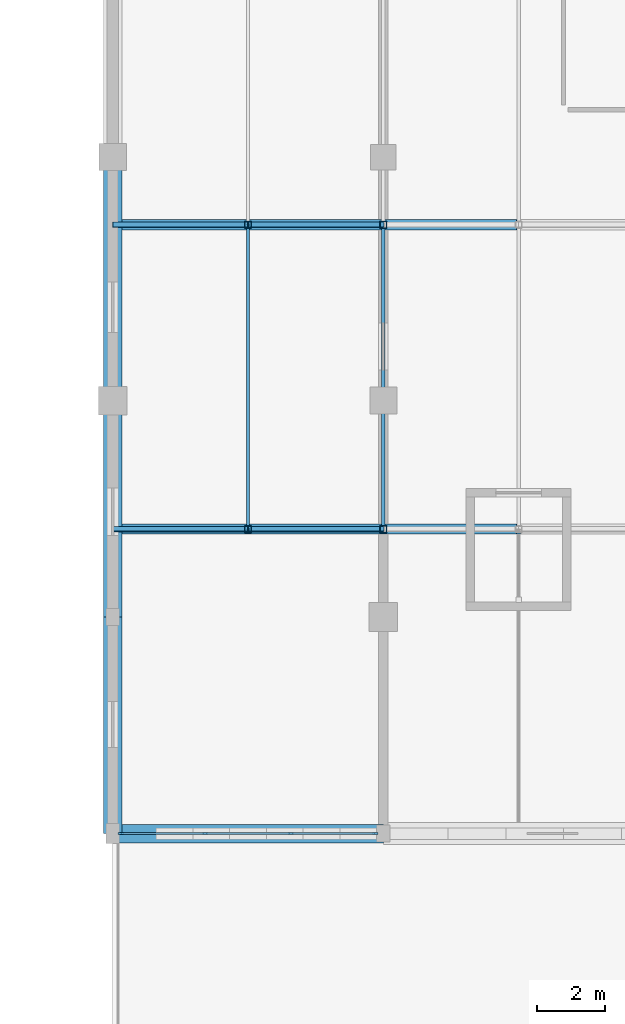
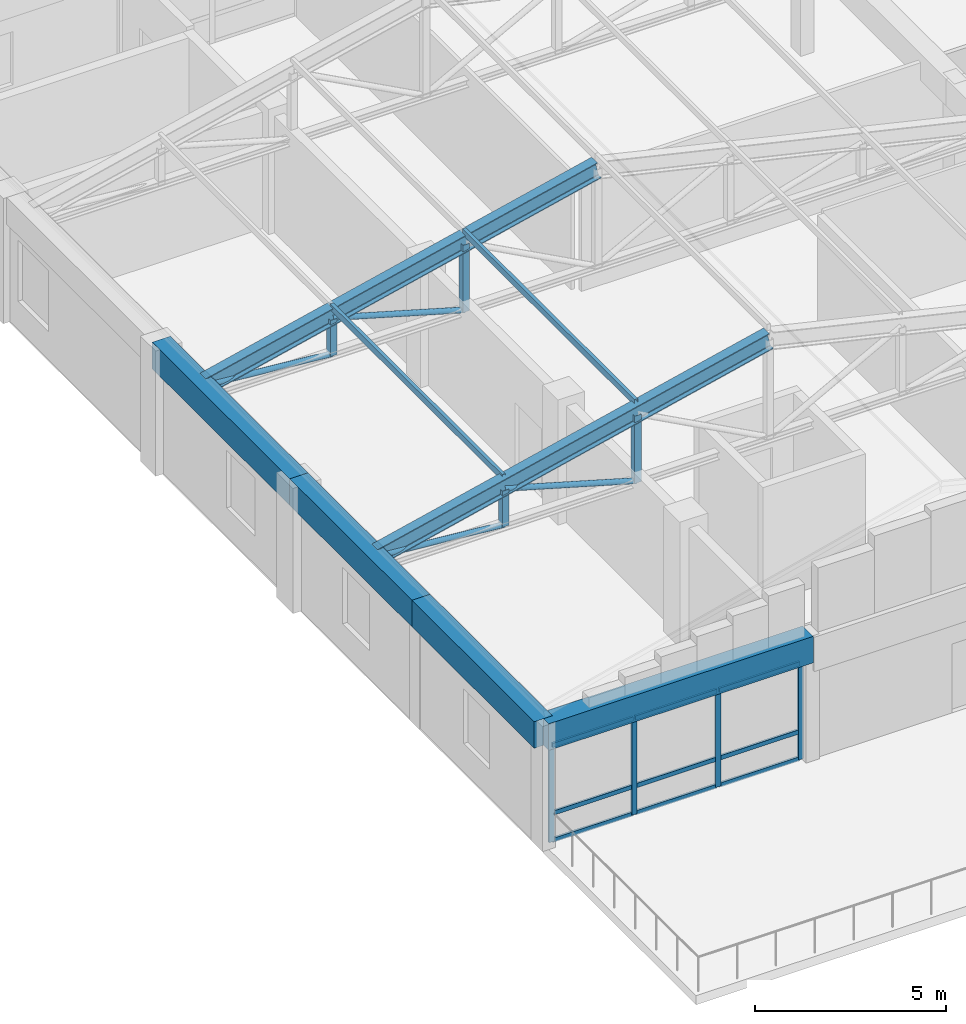
# One storey, part 2 of 27: 25 members, 4 beams, 1 element without a shape of its own.
"""IFC4 building model written with IfcOpenShell, lengths in metres."""

from ifc_helpers import new_model, si_unit, direction, frame, origin, origin_2d, place, context, subcontext, project, spatial, rectangle, hollow_rectangle, hollow_circle, i_section, extrude, material, material_profile, profile_set, type_object, element, aggregate, save


model = new_model("IFC4")

# Units and contexts
model_context = context("Model", 3, precision=1e-05, world=origin(), true_north=direction((0.0, 1.0)))
body_context = subcontext(model_context, "Body", "Model", "MODEL_VIEW")
ifc_project = project(units=[si_unit("LENGTHUNIT", "METRE"), si_unit("AREAUNIT", "SQUARE_METRE"), si_unit("VOLUMEUNIT", "CUBIC_METRE"), si_unit("PLANEANGLEUNIT", "RADIAN"), si_unit("MASSUNIT", "GRAM", prefix="KILO")], contexts=[model_context])

# Site, building, storey
site_placement = place(None, origin())
site = spatial("IfcSite", under=ifc_project, at=site_placement, CompositionType="ELEMENT")
building_placement = place(site_placement, origin())
building = spatial("IfcBuilding", under=site, at=building_placement, Name="Vellmiral Cinema and Media Centre", CompositionType="ELEMENT")
storey_placement = place(building_placement, frame((0.0, 0.0, 19.800048828125)))
storey = spatial("IfcBuildingStorey", under=building, at=storey_placement, Name="L04", CompositionType="ELEMENT", Elevation=19.800048828125)

# Curtain wall, members
ifc_material_1 = material(Name="Thermally Broken Aluminium and Triple Glazing", Category="aluminium")
curtain_wall_type = type_object("IfcCurtainWallType", Name="CW-TOWER-LOW-S", PredefinedType="USERDEFINED", material=ifc_material_1)
curtain_wall_placement = place(storey_placement, origin())
curtain_wall = element("IfcCurtainWall", 1, at=curtain_wall_placement, inside=storey, type_object=curtain_wall_type, Name="Curtain Wall L04-B001", ObjectType="UNITISED CURTAIN WALL", PredefinedType="USERDEFINED")
ifc_material_2 = material(Name="Thermally Broken Anodised Aluminium", Category="aluminium")
ifc_material_profile_1 = material_profile(ifc_material_2, rectangle(XDim=0.06494140625, YDim=0.159912109375, at=origin_2d()), Name="MULL 65x160")
ifc_profile_set_1 = profile_set([ifc_material_profile_1], Name="Thermally Broken Anodised Aluminium")
member_type_1 = type_object("IfcMemberType", Name="CWM-65x160", PredefinedType="MULLION", material=ifc_profile_set_1)
member_1_placement = place(storey_placement, frame((78.632568359375, 59.199951171875, 0.0), z_axis=(0.0, 0.0, 1.0), x_axis=(0.0, 1.0, 0.0)))
member_1 = element("IfcMember", 2, at=member_1_placement, type_object=member_type_1, Name="CW-06 mullion 1", PredefinedType="MULLION", context=body_context, shape_type="SweptSolid", body=[
    extrude(rectangle(XDim=0.06494140625, YDim=0.159912109375, at=origin_2d()), origin(), (0.0, 0.0, 1.0), 3.099853515625),
])
member_2_placement = place(storey_placement, frame((81.13330078125, 59.199951171875, 0.0), z_axis=(0.0, 0.0, 1.0), x_axis=(0.0, 1.0, 0.0)))
member_2 = element("IfcMember", 3, at=member_2_placement, type_object=member_type_1, Name="CW-06 mullion 2", PredefinedType="MULLION", context=body_context, shape_type="SweptSolid", body=[
    extrude(rectangle(XDim=0.06494140625, YDim=0.159912109375, at=origin_2d()), origin(), (0.0, 0.0, 1.0), 3.099853515625),
])
member_3_placement = place(storey_placement, frame((83.666748046875, 59.199951171875, 0.0), z_axis=(0.0, 0.0, 1.0), x_axis=(0.0, 1.0, 0.0)))
member_3 = element("IfcMember", 4, at=member_3_placement, type_object=member_type_1, Name="CW-06 mullion 3", PredefinedType="MULLION", context=body_context, shape_type="SweptSolid", body=[
    extrude(rectangle(XDim=0.06494140625, YDim=0.159912109375, at=origin_2d()), origin(), (0.0, 0.0, 1.0), 3.099853515625),
])
member_4_placement = place(storey_placement, frame((86.16748046875, 59.199951171875, 0.0), z_axis=(0.0, 0.0, 1.0), x_axis=(0.0, 1.0, 0.0)))
member_4 = element("IfcMember", 5, at=member_4_placement, type_object=member_type_1, Name="CW-06 mullion 4", PredefinedType="MULLION", context=body_context, shape_type="SweptSolid", body=[
    extrude(rectangle(XDim=0.06494140625, YDim=0.159912109375, at=origin_2d()), origin(), (0.0, 0.0, 1.0), 3.099853515625),
])
ifc_material_3 = material(Name="Thermally Broken Anodised Aluminium", Category="aluminium")
ifc_material_profile_2 = material_profile(ifc_material_3, rectangle(XDim=0.06494140625, YDim=0.135009765625, at=origin_2d()), Name="MULL 65x135")
ifc_profile_set_2 = profile_set([ifc_material_profile_2], Name="Thermally Broken Anodised Aluminium")
member_type_2 = type_object("IfcMemberType", Name="CWT-65x135", PredefinedType="USERDEFINED", material=ifc_profile_set_2)
member_5_placement = place(storey_placement, frame((78.6650390625, 59.199951171875, 0.032470703125), z_axis=(1.0, 0.0, 0.0), x_axis=(0.0, 1.0, 0.0)))
member_5 = element("IfcMember", 6, at=member_5_placement, type_object=member_type_2, Name="CW-06 transom 1.1", ObjectType="TRANSOM", PredefinedType="USERDEFINED", context=body_context, shape_type="SweptSolid", body=[
    extrude(rectangle(XDim=0.06494140625, YDim=0.135009765625, at=origin_2d()), origin(), (0.0, 0.0, 1.0), 2.435791015625),
])
member_6_placement = place(storey_placement, frame((78.6650390625, 59.199951171875, 0.89990234375), z_axis=(1.0, 0.0, 0.0), x_axis=(0.0, 1.0, 0.0)))
member_6 = element("IfcMember", 7, at=member_6_placement, type_object=member_type_2, Name="CW-06 transom 1.2", ObjectType="TRANSOM", PredefinedType="USERDEFINED", context=body_context, shape_type="SweptSolid", body=[
    extrude(rectangle(XDim=0.06494140625, YDim=0.135009765625, at=origin_2d()), origin(), (0.0, 0.0, 1.0), 2.435791015625),
])
member_7_placement = place(storey_placement, frame((78.6650390625, 59.199951171875, 3.0673828125), z_axis=(1.0, 0.0, 0.0), x_axis=(0.0, 1.0, 0.0)))
member_7 = element("IfcMember", 8, at=member_7_placement, type_object=member_type_2, Name="CW-06 transom 1.3", ObjectType="TRANSOM", PredefinedType="USERDEFINED", context=body_context, shape_type="SweptSolid", body=[
    extrude(rectangle(XDim=0.06494140625, YDim=0.135009765625, at=origin_2d()), origin(), (0.0, 0.0, 1.0), 2.435791015625),
])
member_8_placement = place(storey_placement, frame((81.165771484375, 59.199951171875, 0.032470703125), z_axis=(1.0, 0.0, 0.0), x_axis=(0.0, 1.0, 0.0)))
member_8 = element("IfcMember", 9, at=member_8_placement, type_object=member_type_2, Name="CW-06 transom 2.1", ObjectType="TRANSOM", PredefinedType="USERDEFINED", context=body_context, shape_type="SweptSolid", body=[
    extrude(rectangle(XDim=0.06494140625, YDim=0.135009765625, at=origin_2d()), origin(), (0.0, 0.0, 1.0), 2.468505859375),
])
member_9_placement = place(storey_placement, frame((81.165771484375, 59.199951171875, 0.89990234375), z_axis=(1.0, 0.0, 0.0), x_axis=(0.0, 1.0, 0.0)))
member_9 = element("IfcMember", 10, at=member_9_placement, type_object=member_type_2, Name="CW-06 transom 2.2", ObjectType="TRANSOM", PredefinedType="USERDEFINED", context=body_context, shape_type="SweptSolid", body=[
    extrude(rectangle(XDim=0.06494140625, YDim=0.135009765625, at=origin_2d()), origin(), (0.0, 0.0, 1.0), 2.468505859375),
])
member_10_placement = place(storey_placement, frame((81.165771484375, 59.199951171875, 3.0673828125), z_axis=(1.0, 0.0, 0.0), x_axis=(0.0, 1.0, 0.0)))
member_10 = element("IfcMember", 11, at=member_10_placement, type_object=member_type_2, Name="CW-06 transom 2.3", ObjectType="TRANSOM", PredefinedType="USERDEFINED", context=body_context, shape_type="SweptSolid", body=[
    extrude(rectangle(XDim=0.06494140625, YDim=0.135009765625, at=origin_2d()), origin(), (0.0, 0.0, 1.0), 2.468505859375),
])
member_11_placement = place(storey_placement, frame((83.69921875, 59.199951171875, 0.032470703125), z_axis=(1.0, 0.0, 0.0), x_axis=(0.0, 1.0, 0.0)))
member_11 = element("IfcMember", 12, at=member_11_placement, type_object=member_type_2, Name="CW-06 transom 3.1", ObjectType="TRANSOM", PredefinedType="USERDEFINED", context=body_context, shape_type="SweptSolid", body=[
    extrude(rectangle(XDim=0.06494140625, YDim=0.135009765625, at=origin_2d()), origin(), (0.0, 0.0, 1.0), 2.435791015625),
])
member_12_placement = place(storey_placement, frame((83.69921875, 59.199951171875, 0.89990234375), z_axis=(1.0, 0.0, 0.0), x_axis=(0.0, 1.0, 0.0)))
member_12 = element("IfcMember", 13, at=member_12_placement, type_object=member_type_2, Name="CW-06 transom 3.2", ObjectType="TRANSOM", PredefinedType="USERDEFINED", context=body_context, shape_type="SweptSolid", body=[
    extrude(rectangle(XDim=0.06494140625, YDim=0.135009765625, at=origin_2d()), origin(), (0.0, 0.0, 1.0), 2.435791015625),
])
member_13_placement = place(storey_placement, frame((83.69921875, 59.199951171875, 3.0673828125), z_axis=(1.0, 0.0, 0.0), x_axis=(0.0, 1.0, 0.0)))
member_13 = element("IfcMember", 14, at=member_13_placement, type_object=member_type_2, Name="CW-06 transom 3.3", ObjectType="TRANSOM", PredefinedType="USERDEFINED", context=body_context, shape_type="SweptSolid", body=[
    extrude(rectangle(XDim=0.06494140625, YDim=0.135009765625, at=origin_2d()), origin(), (0.0, 0.0, 1.0), 2.435791015625),
])
aggregate(curtain_wall, [member_1, member_2, member_3, member_4, member_5, member_6, member_7, member_8, member_9, member_10, member_11, member_12, member_13])

# Members
ifc_material_4 = material(Name="Steel S355", Category="steel")
ifc_material_profile_3 = material_profile(ifc_material_4, hollow_rectangle(XDim=0.10009765625, YDim=0.199951171875, WallThickness=0.008056640625, at=origin_2d()), Name="RHS 200x100x8.0")
ifc_profile_set_3 = profile_set([ifc_material_profile_3], Name="Steel S355")
member_type_3 = type_object("IfcMemberType", Name="PRL-RHS200", PredefinedType="PURLIN", material=ifc_profile_set_3)
for number, where, z_axis, x_axis, name in (
    (15, (82.39990234375, 68.199951171875, 4.8623046875), (0.0, 1.0, 0.0), (-1.0, 0.0, 0.0), "Roof Purlin VR-09.1.1"),
    (16, (86.39990234375, 68.199951171875, 5.859619140625), (0.0, 1.0, 0.0), (-1.0, 0.0, 0.0), "Roof Purlin VR-09.2.1"),
):
    element("IfcMember", number, at=place(storey_placement, frame(where, z_axis=z_axis, x_axis=x_axis)), inside=storey, type_object=member_type_3, Name=name, PredefinedType="PURLIN", context=body_context, shape_type="SweptSolid", body=[
        extrude(hollow_rectangle(XDim=0.10009765625, YDim=0.199951171875, WallThickness=0.008056640625, at=origin_2d()), origin(), (0.0, 0.0, 1.0), 9.0),
    ])

# Beams
ifc_material_5 = material(Name="Concrete C40/50", Category="concrete")
ifc_material_profile_4 = material_profile(ifc_material_5, rectangle(XDim=0.550048828125, YDim=0.85009765625, at=origin_2d()), Name="RC 550x850")
ifc_profile_set_4 = profile_set([ifc_material_profile_4], Name="Concrete C40/50")
beam_type = type_object("IfcBeamType", Name="RING-BM-550x850", PredefinedType="BEAM", material=ifc_profile_set_4)
beam_1_placement = place(storey_placement, frame((78.39990234375, 59.199951171875, 3.574951171875), z_axis=(1.0, 0.0, 0.0), x_axis=(0.0, 1.0, 0.0)))
element("IfcBeam", 17, at=beam_1_placement, inside=storey, type_object=beam_type, Name="Stepped Broadcast Bridge Barrel Vault Ring Beam 01", PredefinedType="BEAM", context=body_context, shape_type="SweptSolid", body=[
    extrude(rectangle(XDim=0.550048828125, YDim=0.85009765625, at=origin_2d()), origin(), (0.0, 0.0, 1.0), 8.0),
])
beam_2_placement = place(storey_placement, frame((78.39990234375, 59.199951171875, 3.574951171875), z_axis=(0.0, 1.0, 0.0), x_axis=(-1.0, 0.0, 0.0)))
element("IfcBeam", 18, at=beam_2_placement, inside=storey, type_object=beam_type, Name="Stepped Broadcast Bridge Barrel Vault Ring Beam 05", PredefinedType="BEAM", context=body_context, shape_type="SweptSolid", body=[
    extrude(rectangle(XDim=0.550048828125, YDim=0.85009765625, at=origin_2d()), origin(), (0.0, 0.0, 1.0), 6.400146484375),
])
beam_3_placement = place(storey_placement, frame((78.39990234375, 65.60009765625, 3.574951171875), z_axis=(0.0, 1.0, 0.0), x_axis=(-1.0, 0.0, 0.0)))
element("IfcBeam", 19, at=beam_3_placement, inside=storey, type_object=beam_type, Name="Stepped Broadcast Bridge Barrel Vault Ring Beam 06", PredefinedType="BEAM", context=body_context, shape_type="SweptSolid", body=[
    extrude(rectangle(XDim=0.550048828125, YDim=0.85009765625, at=origin_2d()), origin(), (0.0, 0.0, 1.0), 6.39990234375),
])
beam_4_placement = place(storey_placement, frame((78.39990234375, 72.0, 3.574951171875), z_axis=(0.0, 1.0, 0.0), x_axis=(-1.0, 0.0, 0.0)))
element("IfcBeam", 20, at=beam_4_placement, inside=storey, type_object=beam_type, Name="Stepped Broadcast Bridge Barrel Vault Ring Beam 07", PredefinedType="BEAM", context=body_context, shape_type="SweptSolid", body=[
    extrude(rectangle(XDim=0.550048828125, YDim=0.85009765625, at=origin_2d()), origin(), (0.0, 0.0, 1.0), 7.199951171875),
])

# Members
ifc_material_6 = material(Name="Steel S355", Category="steel")
ifc_material_profile_5 = material_profile(ifc_material_6, hollow_circle(Radius=0.084228515625, WallThickness=0.008056640625, at=origin_2d()), Name="CHS 168.3x8.0")
ifc_profile_set_5 = profile_set([ifc_material_profile_5], Name="Steel S355")
member_type_4 = type_object("IfcMemberType", Name="TBR-CHS168", PredefinedType="BRACE", material=ifc_profile_set_5)
member_14_placement = place(storey_placement, frame((78.39990234375, 68.199951171875, 3.699951171875), z_axis=(0.996191605278, 0.0, -0.087191086546), x_axis=(0.0, 1.0, 0.0)))
element("IfcMember", 21, at=member_14_placement, inside=storey, type_object=member_type_4, Name="Roof Truss TR-09.1 Diagonal 1", PredefinedType="BRACE", context=body_context, shape_type="SweptSolid", body=[
    extrude(hollow_circle(Radius=0.084228515625, WallThickness=0.008056640625, at=origin_2d()), origin(), (0.0, 0.0, 1.0), 4.015380859375),
])
member_15_placement = place(storey_placement, frame((82.39990234375, 68.199951171875, 4.502197265625), z_axis=(0.960919647927, 0.0, -0.276827437635), x_axis=(0.0, 1.0, 0.0)))
element("IfcMember", 22, at=member_15_placement, inside=storey, type_object=member_type_4, Name="Roof Truss TR-09.1 Diagonal 2", PredefinedType="BRACE", context=body_context, shape_type="SweptSolid", body=[
    extrude(hollow_circle(Radius=0.084228515625, WallThickness=0.008056640625, at=origin_2d()), origin(), (0.0, 0.0, 1.0), 4.16259765625),
])
member_16_placement = place(storey_placement, frame((78.39990234375, 77.199951171875, 3.699951171875), z_axis=(0.996191605278, 0.0, -0.087191086546), x_axis=(0.0, 1.0, 0.0)))
element("IfcMember", 23, at=member_16_placement, inside=storey, type_object=member_type_4, Name="Roof Truss TR-09.2 Diagonal 1", PredefinedType="BRACE", context=body_context, shape_type="SweptSolid", body=[
    extrude(hollow_circle(Radius=0.084228515625, WallThickness=0.008056640625, at=origin_2d()), origin(), (0.0, 0.0, 1.0), 4.015380859375),
])
member_17_placement = place(storey_placement, frame((82.39990234375, 77.199951171875, 4.502197265625), z_axis=(0.960919647927, 0.0, -0.276827437635), x_axis=(0.0, 1.0, 0.0)))
element("IfcMember", 24, at=member_17_placement, inside=storey, type_object=member_type_4, Name="Roof Truss TR-09.2 Diagonal 2", PredefinedType="BRACE", context=body_context, shape_type="SweptSolid", body=[
    extrude(hollow_circle(Radius=0.084228515625, WallThickness=0.008056640625, at=origin_2d()), origin(), (0.0, 0.0, 1.0), 4.16259765625),
])
ifc_material_7 = material(Name="Steel S355", Category="steel")
ifc_material_profile_6 = material_profile(ifc_material_7, hollow_rectangle(XDim=0.199951171875, YDim=0.199951171875, WallThickness=0.010009765625, at=origin_2d()), Name="SHS 200x200x10.0")
ifc_profile_set_6 = profile_set([ifc_material_profile_6], Name="Steel S355")
member_type_5 = type_object("IfcMemberType", Name="TBR-SHS200", PredefinedType="BRACE", material=ifc_profile_set_6)
member_18_placement = place(storey_placement, frame((82.39990234375, 68.199951171875, 3.349853515625), z_axis=(0.0, 0.0, 1.0), x_axis=(1.0, 0.0, 0.0)))
element("IfcMember", 25, at=member_18_placement, inside=storey, type_object=member_type_5, Name="Roof Truss TR-09.1 Post 1", PredefinedType="BRACE", context=body_context, shape_type="SweptSolid", body=[
    extrude(hollow_rectangle(XDim=0.199951171875, YDim=0.199951171875, WallThickness=0.010009765625, at=origin_2d()), origin(), (0.0, 0.0, 1.0), 1.15234375),
])
member_19_placement = place(storey_placement, frame((86.39990234375, 68.199951171875, 3.349853515625), z_axis=(0.0, 0.0, 1.0), x_axis=(1.0, 0.0, 0.0)))
element("IfcMember", 26, at=member_19_placement, inside=storey, type_object=member_type_5, Name="Roof Truss TR-09.1 Post 2", PredefinedType="BRACE", context=body_context, shape_type="SweptSolid", body=[
    extrude(hollow_rectangle(XDim=0.199951171875, YDim=0.199951171875, WallThickness=0.010009765625, at=origin_2d()), origin(), (0.0, 0.0, 1.0), 2.149658203125),
])
member_20_placement = place(storey_placement, frame((82.39990234375, 77.199951171875, 3.349853515625), z_axis=(0.0, 0.0, 1.0), x_axis=(1.0, 0.0, 0.0)))
element("IfcMember", 27, at=member_20_placement, inside=storey, type_object=member_type_5, Name="Roof Truss TR-09.2 Post 1", PredefinedType="BRACE", context=body_context, shape_type="SweptSolid", body=[
    extrude(hollow_rectangle(XDim=0.199951171875, YDim=0.199951171875, WallThickness=0.010009765625, at=origin_2d()), origin(), (0.0, 0.0, 1.0), 1.15234375),
])
member_21_placement = place(storey_placement, frame((86.39990234375, 77.199951171875, 3.349853515625), z_axis=(0.0, 0.0, 1.0), x_axis=(1.0, 0.0, 0.0)))
element("IfcMember", 28, at=member_21_placement, inside=storey, type_object=member_type_5, Name="Roof Truss TR-09.2 Post 2", PredefinedType="BRACE", context=body_context, shape_type="SweptSolid", body=[
    extrude(hollow_rectangle(XDim=0.199951171875, YDim=0.199951171875, WallThickness=0.010009765625, at=origin_2d()), origin(), (0.0, 0.0, 1.0), 2.149658203125),
])
ifc_material_8 = material(Name="Steel S355", Category="steel")
ifc_material_profile_7 = material_profile(ifc_material_8, i_section(OverallWidth=0.300048828125, OverallDepth=0.5400390625, WebThickness=0.012451171875, FlangeThickness=0.02392578125, FilletRadius=0.027099609375, at=origin_2d()), Name="HEA 550")
ifc_profile_set_7 = profile_set([ifc_material_profile_7], Name="Steel S355")
member_type_6 = type_object("IfcMemberType", Name="TCH-HEA550", PredefinedType="CHORD", material=ifc_profile_set_7)
for number, where, z_axis, x_axis, name in (
    (29, (78.39990234375, 68.199951171875, 3.699951171875), (0.973897302282, 0.0, 0.226989084777), (0.0, 1.0, 0.0), "Roof Truss TR-09.1 Top Chord W"),
    (30, (78.39990234375, 77.199951171875, 3.699951171875), (0.973897302282, 0.0, 0.226989084777), (0.0, 1.0, 0.0), "Roof Truss TR-09.2 Top Chord W"),
):
    element("IfcMember", number, at=place(storey_placement, frame(where, z_axis=z_axis, x_axis=x_axis)), inside=storey, type_object=member_type_6, Name=name, PredefinedType="CHORD", context=body_context, shape_type="SweptSolid", body=[
        extrude(i_section(OverallWidth=0.300048828125, OverallDepth=0.5400390625, WebThickness=0.012451171875, FlangeThickness=0.02392578125, FilletRadius=0.027099609375, at=origin_2d()), origin(), (0.0, 0.0, 1.0), 12.321533203125),
    ])

save(model, "model.ifc")
